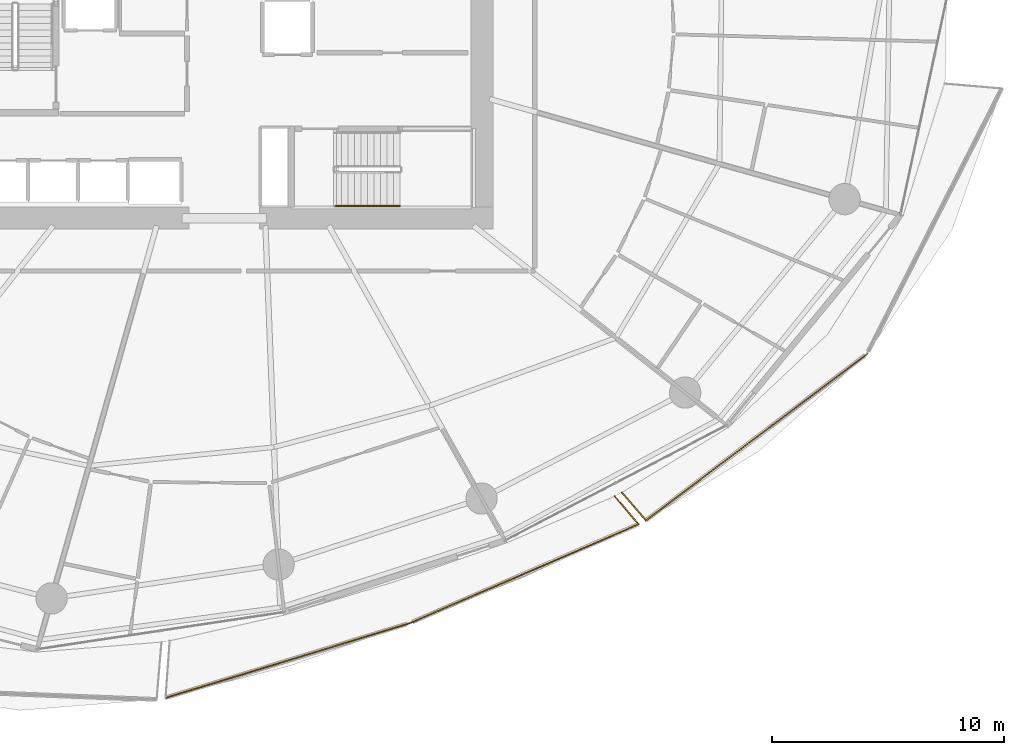
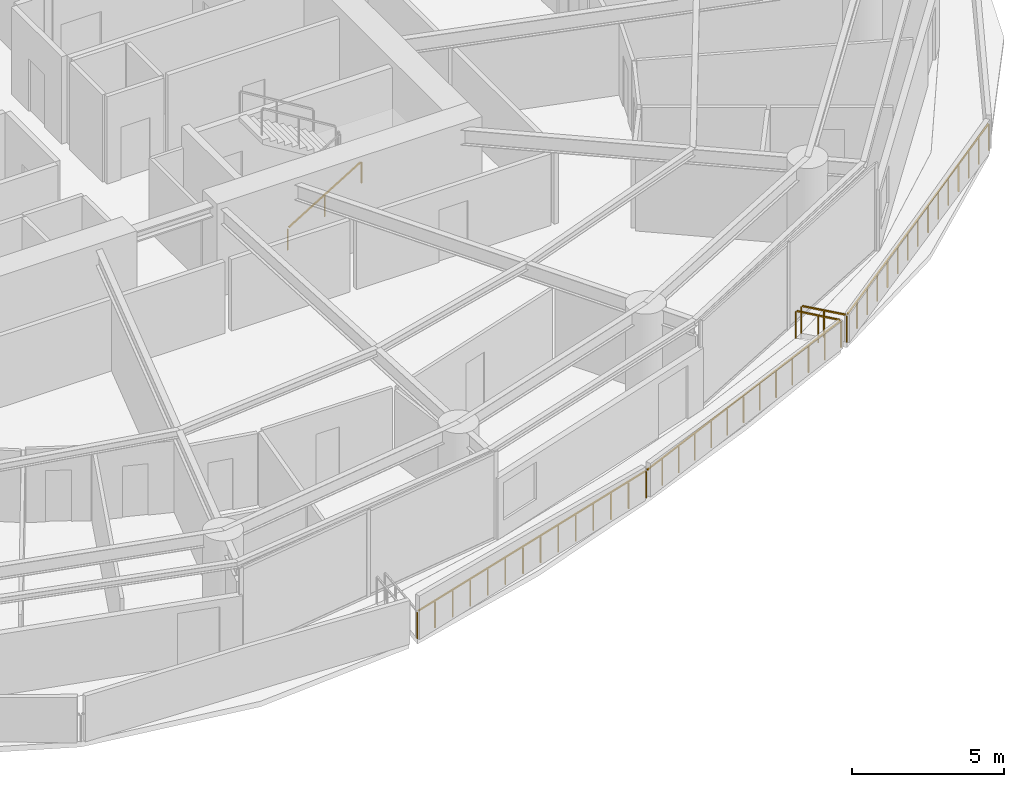
# One storey, part 27 of 31: 6 railings.
"""IFC4 building model written with IfcOpenShell, lengths in metres."""

import ifcopenshell
import ifcopenshell.guid

model = None  # the IFC model being written
_history = None  # IfcOwnerHistory: only IFC2X3 demands one
_inside = {}  # id of a spatial element -> (the spatial element, [elements in it])
_under = {}  # id of a project, library or spatial element -> (it, [spatial elements below it])
_declared = {}  # id of a project -> (the project, [libraries it declares])
_typed = {}  # id of a type object -> (the type object, [elements of that type])
_made_of = {}  # id of a material, layer set ... -> (it, [elements and type objects made of it])


def new_model(schema):
    """Start an empty IFC model of exactly this schema.

    Asked for "IFC4X3", IfcOpenShell would pick the latest addendum, in which some entities
    have other attributes; the version numbers below select the first issue.
    IFC2X3 requires an IfcOwnerHistory on every rooted entity: one is made here for all.
    """
    global model, _history
    if schema == "IFC4X3":
        model = ifcopenshell.file(schema_version=(4, 3, 0, 0))
    else:
        model = ifcopenshell.file(schema=schema)
    _inside.clear()
    _under.clear()
    _declared.clear()
    _typed.clear()
    _made_of.clear()
    _history = None
    if model.schema == "IFC2X3":
        org = make("IfcOrganization", Name="unknown")
        user = make(
            "IfcPersonAndOrganization",
            ThePerson=make("IfcPerson", FamilyName="unknown"),
            TheOrganization=org,
        )
        app = make(
            "IfcApplication",
            ApplicationDeveloper=org,
            Version="unknown",
            ApplicationFullName="unknown",
            ApplicationIdentifier="unknown",
        )
        _history = make(
            "IfcOwnerHistory",
            OwningUser=user,
            OwningApplication=app,
            ChangeAction="ADDED",
            CreationDate=0,
        )
    return model


def make(cls, **values):
    """One entity of the class cls with the attributes given. An attribute that is None is left unset."""
    return model.create_entity(
        cls, **{name: value for name, value in values.items() if value is not None}
    )


def rooted(cls, **values):
    """An entity with a GlobalId (a new one), such as an element, a storey or a relation."""
    return make(cls, GlobalId=ifcopenshell.guid.new(), OwnerHistory=_history, **values)


def si_unit(unit_type, name, prefix=None):
    """IfcSIUnit, for example si_unit("LENGTHUNIT", "METRE", prefix="MILLI")."""
    return make("IfcSIUnit", UnitType=unit_type, Prefix=prefix, Name=name)


def assignment(units):
    """IfcUnitAssignment: the units of a project."""
    return None if units is None else make("IfcUnitAssignment", Units=units)


def point(xyz):
    """IfcCartesianPoint."""
    return None if xyz is None else make("IfcCartesianPoint", Coordinates=xyz)


def direction(xyz):
    """IfcDirection."""
    return None if xyz is None else make("IfcDirection", DirectionRatios=xyz)


def frame(location, z_axis=None, x_axis=None):
    """IfcAxis2Placement3D, a coordinate frame: its origin and axes. An axis left out is left unset."""
    return make(
        "IfcAxis2Placement3D",
        Location=point(location),
        Axis=direction(z_axis),
        RefDirection=direction(x_axis),
    )


def frame_2d(location, x_axis=None):
    """IfcAxis2Placement2D, a coordinate frame in the plane: its origin and x axis."""
    return make(
        "IfcAxis2Placement2D", Location=point(location), RefDirection=direction(x_axis)
    )


def origin():
    """The frame at (0, 0, 0) with its axes left unset."""
    return frame((0.0, 0.0, 0.0))


def origin_2d():
    """The frame at (0, 0) in the plane with its x axis left unset."""
    return frame_2d((0.0, 0.0))


def place(relative_to, where):
    """IfcLocalPlacement: puts the frame where relative to a parent placement (None: the world)."""
    return make(
        "IfcLocalPlacement", PlacementRelTo=relative_to, RelativePlacement=where
    )


def context(
    kind, dimensions, precision=None, world=None, true_north=None, identifier=None
):
    """IfcGeometricRepresentationContext, for example the 3D "Model" context."""
    return make(
        "IfcGeometricRepresentationContext",
        ContextIdentifier=identifier,
        ContextType=kind,
        CoordinateSpaceDimension=dimensions,
        Precision=precision,
        WorldCoordinateSystem=world,
        TrueNorth=true_north,
    )


def subcontext(parent, identifier, kind, view, scale=None):
    """IfcGeometricRepresentationSubContext, for example "Body" below "Model"."""
    return make(
        "IfcGeometricRepresentationSubContext",
        ContextIdentifier=identifier,
        ContextType=kind,
        ParentContext=parent,
        TargetScale=scale,
        TargetView=view,
    )


def project(units=None, contexts=None):
    """IfcProject with its units and contexts."""
    return rooted(
        "IfcProject",
        Name="project",
        RepresentationContexts=contexts,
        UnitsInContext=assignment(units),
    )


def spatial(cls, under=None, at=None, **own):
    """A site, building, storey or space (cls), placed at a placement, below another one or the project."""
    s = rooted(cls, ObjectPlacement=at, **own)
    if under is not None:
        _under.setdefault(under.id(), (under, []))[1].append(s)
    return s


def profile(cls, at=None, kind="AREA", **sizes):
    """A parametric profile (cls). Its sizes go by their IFC names, for example OverallWidth=200.0."""
    return make(cls, ProfileType=kind, Position=at, **sizes)


def rectangle(**sizes):
    """IfcRectangleProfileDef."""
    return profile("IfcRectangleProfileDef", **sizes)


def extrude(swept, where, along, depth):
    """IfcExtrudedAreaSolid: the profile swept, set in the frame where, extruded along a direction by depth."""
    return make(
        "IfcExtrudedAreaSolid",
        SweptArea=swept,
        Position=where,
        ExtrudedDirection=direction(along),
        Depth=depth,
    )


def shape(context_of_items, identifier, shape_type, items):
    """IfcShapeRepresentation: the items that make up one representation, for example the "Body"."""
    return make(
        "IfcShapeRepresentation",
        ContextOfItems=context_of_items,
        RepresentationIdentifier=identifier,
        RepresentationType=shape_type,
        Items=items,
    )


def material(Name=None, Category=None):
    """IfcMaterial."""
    return make("IfcMaterial", Name=Name, Category=Category)


def made_of(thing, what):
    """Note that an element or type object is made of a material, layer set ...; save() writes the relation."""
    if what is not None:
        _made_of.setdefault(what.id(), (what, []))[1].append(thing)
    return thing


def type_object(cls, material=None, **own):
    """A type object (cls), such as IfcWallType, which elements share."""
    return made_of(rooted(cls, **own), material)


def element(
    cls,
    number,
    at=None,
    inside=None,
    cuts=None,
    type_object=None,
    material=None,
    context=None,
    identifier="Body",
    shape_type=None,
    held_by="IfcProductDefinitionShape",
    body=None,
    shapes=None,
    **own,
):
    """One element of the class cls, such as IfcWall. Its Tag is "e" and its number.

    at: its placement. inside: the storey or other place that contains it. cuts: it is an
    opening in that element (IfcRelVoidsElement). A single representation is given by context,
    identifier, shape_type and body (its items); several are given by shapes. held_by: the class
    of the entity that holds the representations. save() writes the other relations.
    """
    e = rooted(cls, Tag="e%d" % number, ObjectPlacement=at, **own)
    if body is not None:
        shapes = [shape(context, identifier, shape_type, body)]
    if shapes is not None:
        e.Representation = make(held_by, Representations=shapes)
    if inside is not None:
        _inside.setdefault(inside.id(), (inside, []))[1].append(e)
    if cuts is not None:
        rooted(
            "IfcRelVoidsElement", RelatingBuildingElement=cuts, RelatedOpeningElement=e
        )
    if type_object is not None:
        _typed.setdefault(type_object.id(), (type_object, []))[1].append(e)
    return made_of(e, material)


def aggregate(whole, parts):
    """IfcRelAggregates: a whole, such as a stair, and the parts it consists of."""
    return rooted("IfcRelAggregates", RelatingObject=whole, RelatedObjects=parts)


def save(model, path):
    """Write the relations noted so far, then the file.

    IfcRelAggregates (storeys below a building ...), IfcRelContainedInSpatialStructure (elements
    in a storey), IfcRelDefinesByType, IfcRelAssociatesMaterial and IfcRelDeclares: one each for
    every whole, place, type object, material and project.
    """
    for whole, parts in _under.values():
        aggregate(whole, parts)
    for where, things in _inside.values():
        rooted(
            "IfcRelContainedInSpatialStructure",
            RelatedElements=things,
            RelatingStructure=where,
        )
    for kind, things in _typed.values():
        rooted("IfcRelDefinesByType", RelatedObjects=things, RelatingType=kind)
    for what, things in _made_of.values():
        rooted("IfcRelAssociatesMaterial", RelatedObjects=things, RelatingMaterial=what)
    for by, libraries in _declared.values():
        rooted("IfcRelDeclares", RelatingContext=by, RelatedDefinitions=libraries)
    model.write(path)


model = new_model("IFC4")

# Units and contexts
model_context = context("Model", 3, precision=1e-05, world=origin(), true_north=direction((0.0, 1.0)))
body_context = subcontext(model_context, "Body", "Model", "MODEL_VIEW")
ifc_project = project(units=[si_unit("LENGTHUNIT", "METRE"), si_unit("AREAUNIT", "SQUARE_METRE"), si_unit("VOLUMEUNIT", "CUBIC_METRE"), si_unit("PLANEANGLEUNIT", "RADIAN"), si_unit("MASSUNIT", "GRAM", prefix="KILO")], contexts=[model_context])

# Site, building, storey
site_placement = place(None, origin())
site = spatial("IfcSite", under=ifc_project, at=site_placement, CompositionType="ELEMENT")
building_placement = place(site_placement, origin())
building = spatial("IfcBuilding", under=site, at=building_placement, Name="Kazma Halo Residences", CompositionType="ELEMENT")
storey_placement = place(building_placement, frame((0.0, 0.0, 52.64990234375)))
storey = spatial("IfcBuildingStorey", under=building, at=storey_placement, Name="L12", CompositionType="ELEMENT", Elevation=52.64990234375)

# Railings
ifc_material_1 = material(Name="Aluminium AW-6063 T6 Brushed Cap Rail", Category="aluminium")
railing_type_1 = type_object("IfcRailingType", Name="RLG-BAL-CAP-1120", PredefinedType="BALUSTRADE", material=ifc_material_1)
railing_1_placement = place(storey_placement, frame((45.8857421875, 12.860107421875, 0.0)))
element("IfcRailing", 1, at=railing_1_placement, inside=storey, type_object=railing_type_1, Name="L12 SSE wave balcony guard 2", PredefinedType="BALUSTRADE", context=body_context, shape_type="SweptSolid", body=[
    extrude(rectangle(XDim=0.050048828125, YDim=0.050048828125, at=origin_2d()), frame((0.040771484375, 0.012451171875, 1.09521484375), z_axis=(0.956260694262, 0.29251578523, 0.0), x_axis=(-0.29251578523, 0.956260694262, 0.0)), (0.0, 0.0, 1.0), 10.931884765625),
    extrude(rectangle(XDim=0.0400390625, YDim=0.0400390625, at=origin_2d()), origin(), (0.0, 0.0, 1.0), 1.05810546875),
    extrude(rectangle(XDim=0.0400390625, YDim=0.0400390625, at=origin_2d()), frame((0.810302734375, 0.247802734375, 0.0)), (0.0, 0.0, 1.0), 1.05810546875),
    extrude(rectangle(XDim=0.0400390625, YDim=0.0400390625, at=origin_2d()), frame((1.620849609375, 0.495849609375, 0.0)), (0.0, 0.0, 1.0), 1.05810546875),
    extrude(rectangle(XDim=0.0400390625, YDim=0.0400390625, at=origin_2d()), frame((2.43115234375, 0.74365234375, 0.0)), (0.0, 0.0, 1.0), 1.05810546875),
    extrude(rectangle(XDim=0.0400390625, YDim=0.0400390625, at=origin_2d()), frame((3.24169921875, 0.99169921875, 0.0)), (0.0, 0.0, 1.0), 1.05810546875),
    extrude(rectangle(XDim=0.0400390625, YDim=0.0400390625, at=origin_2d()), frame((4.052001953125, 1.239501953125, 0.0)), (0.0, 0.0, 1.0), 1.05810546875),
    extrude(rectangle(XDim=0.0400390625, YDim=0.0400390625, at=origin_2d()), frame((4.8623046875, 1.4873046875, 0.0)), (0.0, 0.0, 1.0), 1.05810546875),
    extrude(rectangle(XDim=0.0400390625, YDim=0.0400390625, at=origin_2d()), frame((5.6728515625, 1.7353515625, 0.0)), (0.0, 0.0, 1.0), 1.05810546875),
    extrude(rectangle(XDim=0.0400390625, YDim=0.0400390625, at=origin_2d()), frame((6.483154296875, 1.983154296875, 0.0)), (0.0, 0.0, 1.0), 1.05810546875),
    extrude(rectangle(XDim=0.0400390625, YDim=0.0400390625, at=origin_2d()), frame((7.29345703125, 2.23095703125, 0.0)), (0.0, 0.0, 1.0), 1.05810546875),
    extrude(rectangle(XDim=0.0400390625, YDim=0.0400390625, at=origin_2d()), frame((8.10400390625, 2.47900390625, 0.0)), (0.0, 0.0, 1.0), 1.05810546875),
    extrude(rectangle(XDim=0.0400390625, YDim=0.0400390625, at=origin_2d()), frame((8.914306640625, 2.726806640625, 0.0)), (0.0, 0.0, 1.0), 1.05810546875),
    extrude(rectangle(XDim=0.0400390625, YDim=0.0400390625, at=origin_2d()), frame((9.724853515625, 2.974853515625, 0.0)), (0.0, 0.0, 1.0), 1.05810546875),
    extrude(rectangle(XDim=0.0400390625, YDim=0.0400390625, at=origin_2d()), frame((10.53515625, 3.22265625, 0.0)), (0.0, 0.0, 1.0), 1.05810546875),
])
railing_2_placement = place(storey_placement, frame((56.4208984375, 16.082763671875, 0.0)))
element("IfcRailing", 2, at=railing_2_placement, inside=storey, type_object=railing_type_1, Name="L12 SSE wave balcony guard 3", PredefinedType="BALUSTRADE", context=body_context, shape_type="SweptSolid", body=[
    extrude(rectangle(XDim=0.050048828125, YDim=0.050048828125, at=origin_2d()), frame((0.0390625, 0.016845703125, 1.09521484375), z_axis=(0.917882347647, 0.396852612285, 0.0), x_axis=(-0.396852612285, 0.917882347647, 0.0)), (0.0, 0.0, 1.0), 10.645751953125),
    extrude(rectangle(XDim=0.0400390625, YDim=0.0400390625, at=origin_2d()), origin(), (0.0, 0.0, 1.0), 1.05810546875),
    extrude(rectangle(XDim=0.0400390625, YDim=0.0400390625, at=origin_2d()), frame((0.82080078125, 0.35498046875, 0.0)), (0.0, 0.0, 1.0), 1.05810546875),
    extrude(rectangle(XDim=0.0400390625, YDim=0.0400390625, at=origin_2d()), frame((1.6416015625, 0.709716796875, 0.0)), (0.0, 0.0, 1.0), 1.05810546875),
    extrude(rectangle(XDim=0.0400390625, YDim=0.0400390625, at=origin_2d()), frame((2.46240234375, 1.064697265625, 0.0)), (0.0, 0.0, 1.0), 1.05810546875),
    extrude(rectangle(XDim=0.0400390625, YDim=0.0400390625, at=origin_2d()), frame((3.283203125, 1.41943359375, 0.0)), (0.0, 0.0, 1.0), 1.05810546875),
    extrude(rectangle(XDim=0.0400390625, YDim=0.0400390625, at=origin_2d()), frame((4.10400390625, 1.7744140625, 0.0)), (0.0, 0.0, 1.0), 1.05810546875),
    extrude(rectangle(XDim=0.0400390625, YDim=0.0400390625, at=origin_2d()), frame((4.9248046875, 2.12939453125, 0.0)), (0.0, 0.0, 1.0), 1.05810546875),
    extrude(rectangle(XDim=0.0400390625, YDim=0.0400390625, at=origin_2d()), frame((5.74560546875, 2.484130859375, 0.0)), (0.0, 0.0, 1.0), 1.05810546875),
    extrude(rectangle(XDim=0.0400390625, YDim=0.0400390625, at=origin_2d()), frame((6.56640625, 2.839111328125, 0.0)), (0.0, 0.0, 1.0), 1.05810546875),
    extrude(rectangle(XDim=0.0400390625, YDim=0.0400390625, at=origin_2d()), frame((7.38720703125, 3.19384765625, 0.0)), (0.0, 0.0, 1.0), 1.05810546875),
    extrude(rectangle(XDim=0.0400390625, YDim=0.0400390625, at=origin_2d()), frame((8.2080078125, 3.548828125, 0.0)), (0.0, 0.0, 1.0), 1.05810546875),
    extrude(rectangle(XDim=0.0400390625, YDim=0.0400390625, at=origin_2d()), frame((9.02880859375, 3.903564453125, 0.0)), (0.0, 0.0, 1.0), 1.05810546875),
    extrude(rectangle(XDim=0.0400390625, YDim=0.0400390625, at=origin_2d()), frame((9.849609375, 4.258544921875, 0.0)), (0.0, 0.0, 1.0), 1.05810546875),
])
railing_3_placement = place(storey_placement, frame((66.2705078125, 20.34130859375, 0.0)))
element("IfcRailing", 3, at=railing_3_placement, inside=storey, type_object=railing_type_1, Name="L12 SSE wave balcony guard 4", PredefinedType="BALUSTRADE", context=body_context, shape_type="SweptSolid", body=[
    extrude(rectangle(XDim=0.050048828125, YDim=0.050048828125, at=origin_2d()), frame((-0.02734375, 0.032470703125, 1.09521484375), z_axis=(-0.644747248545, 0.764395830374, 0.0), x_axis=(-0.764395830374, -0.644747248545, 0.0)), (0.0, 0.0, 1.0), 1.50048828125),
    extrude(rectangle(XDim=0.0400390625, YDim=0.0400390625, at=origin_2d()), origin(), (0.0, 0.0, 1.0), 1.05810546875),
    extrude(rectangle(XDim=0.0400390625, YDim=0.0400390625, at=origin_2d()), frame((-0.51123046875, 0.60595703125, 0.0)), (0.0, 0.0, 1.0), 1.05810546875),
    extrude(rectangle(XDim=0.0400390625, YDim=0.0400390625, at=origin_2d()), frame((-1.022216796875, 1.2119140625, 0.0)), (0.0, 0.0, 1.0), 1.05810546875),
])
railing_4_placement = place(storey_placement, frame((65.546142578125, 21.70849609375, 0.0)))
element("IfcRailing", 4, at=railing_4_placement, inside=storey, type_object=railing_type_1, Name="L12 SE wave balcony guard 1", PredefinedType="BALUSTRADE", context=body_context, shape_type="SweptSolid", body=[
    extrude(rectangle(XDim=0.050048828125, YDim=0.050048828125, at=origin_2d()), frame((0.02783203125, -0.0322265625, 1.09521484375), z_axis=(0.654071252244, -0.756432942823, 0.0), x_axis=(0.756432942823, 0.654071252244, 0.0)), (0.0, 0.0, 1.0), 1.505859375),
    extrude(rectangle(XDim=0.0400390625, YDim=0.0400390625, at=origin_2d()), origin(), (0.0, 0.0, 1.0), 1.05810546875),
    extrude(rectangle(XDim=0.0400390625, YDim=0.0400390625, at=origin_2d()), frame((0.520263671875, -0.6015625, 0.0)), (0.0, 0.0, 1.0), 1.05810546875),
    extrude(rectangle(XDim=0.0400390625, YDim=0.0400390625, at=origin_2d()), frame((1.04052734375, -1.203369140625, 0.0)), (0.0, 0.0, 1.0), 1.05810546875),
])
railing_5_placement = place(storey_placement, frame((66.586669921875, 20.505126953125, 0.0)))
element("IfcRailing", 5, at=railing_5_placement, inside=storey, type_object=railing_type_1, Name="L12 SE wave balcony guard 2", PredefinedType="BALUSTRADE", context=body_context, shape_type="SweptSolid", body=[
    extrude(rectangle(XDim=0.050048828125, YDim=0.050048828125, at=origin_2d()), frame((0.033935546875, 0.025634765625, 1.09521484375), z_axis=(0.798924940179, 0.60143074411, 0.0), x_axis=(-0.60143074411, 0.798924940179, 0.0)), (0.0, 0.0, 1.0), 11.837890625),
    extrude(rectangle(XDim=0.0400390625, YDim=0.0400390625, at=origin_2d()), origin(), (0.0, 0.0, 1.0), 1.05810546875),
    extrude(rectangle(XDim=0.0400390625, YDim=0.0400390625, at=origin_2d()), frame((0.680419921875, 0.51220703125, 0.0)), (0.0, 0.0, 1.0), 1.05810546875),
    extrude(rectangle(XDim=0.0400390625, YDim=0.0400390625, at=origin_2d()), frame((1.36083984375, 1.0244140625, 0.0)), (0.0, 0.0, 1.0), 1.05810546875),
    extrude(rectangle(XDim=0.0400390625, YDim=0.0400390625, at=origin_2d()), frame((2.041259765625, 1.53662109375, 0.0)), (0.0, 0.0, 1.0), 1.05810546875),
    extrude(rectangle(XDim=0.0400390625, YDim=0.0400390625, at=origin_2d()), frame((2.7216796875, 2.048828125, 0.0)), (0.0, 0.0, 1.0), 1.05810546875),
    extrude(rectangle(XDim=0.0400390625, YDim=0.0400390625, at=origin_2d()), frame((3.402099609375, 2.56103515625, 0.0)), (0.0, 0.0, 1.0), 1.05810546875),
    extrude(rectangle(XDim=0.0400390625, YDim=0.0400390625, at=origin_2d()), frame((4.08251953125, 3.0732421875, 0.0)), (0.0, 0.0, 1.0), 1.05810546875),
    extrude(rectangle(XDim=0.0400390625, YDim=0.0400390625, at=origin_2d()), frame((4.7626953125, 3.58544921875, 0.0)), (0.0, 0.0, 1.0), 1.05810546875),
    extrude(rectangle(XDim=0.0400390625, YDim=0.0400390625, at=origin_2d()), frame((5.443115234375, 4.09765625, 0.0)), (0.0, 0.0, 1.0), 1.05810546875),
    extrude(rectangle(XDim=0.0400390625, YDim=0.0400390625, at=origin_2d()), frame((6.12353515625, 4.60986328125, 0.0)), (0.0, 0.0, 1.0), 1.05810546875),
    extrude(rectangle(XDim=0.0400390625, YDim=0.0400390625, at=origin_2d()), frame((6.803955078125, 5.1220703125, 0.0)), (0.0, 0.0, 1.0), 1.05810546875),
    extrude(rectangle(XDim=0.0400390625, YDim=0.0400390625, at=origin_2d()), frame((7.484375, 5.63427734375, 0.0)), (0.0, 0.0, 1.0), 1.05810546875),
    extrude(rectangle(XDim=0.0400390625, YDim=0.0400390625, at=origin_2d()), frame((8.164794921875, 6.146484375, 0.0)), (0.0, 0.0, 1.0), 1.05810546875),
    extrude(rectangle(XDim=0.0400390625, YDim=0.0400390625, at=origin_2d()), frame((8.84521484375, 6.65869140625, 0.0)), (0.0, 0.0, 1.0), 1.05810546875),
    extrude(rectangle(XDim=0.0400390625, YDim=0.0400390625, at=origin_2d()), frame((9.525634765625, 7.1708984375, 0.0)), (0.0, 0.0, 1.0), 1.05810546875),
])
ifc_material_2 = material(Name="Brushed Stainless Steel", Category="steel")
railing_type_2 = type_object("IfcRailingType", Name="RLG-STAIR-HND-900", PredefinedType="HANDRAIL", material=ifc_material_2)
railing_6_placement = place(storey_placement, frame((53.199951171875, 34.050048828125, 0.170654296875)))
element("IfcRailing", 6, at=railing_6_placement, inside=storey, type_object=railing_type_2, Name="L12 ST-03 stair handrail 1", PredefinedType="HANDRAIL", context=body_context, shape_type="SweptSolid", body=[
    extrude(rectangle(XDim=0.050048828125, YDim=0.050048828125, at=origin_2d()), frame((0.036376953125, 0.0, 0.89697265625), z_axis=(0.854202870247, 0.0, 0.519939858505), x_axis=(0.0, 1.0, 0.0)), (0.0, 0.0, 1.0), 3.19287109375),
    extrude(rectangle(XDim=0.0400390625, YDim=0.0400390625, at=origin_2d()), origin(), (0.0, 0.0, 1.0), 0.837890625),
    extrude(rectangle(XDim=0.0400390625, YDim=0.0400390625, at=origin_2d()), frame((1.39990234375, 0.0, 0.85205078125)), (0.0, 0.0, 1.0), 0.837890625),
    extrude(rectangle(XDim=0.0400390625, YDim=0.0400390625, at=origin_2d()), frame((2.800048828125, 0.0, 1.704345703125)), (0.0, 0.0, 1.0), 0.837890625),
])

save(model, "model.ifc")
